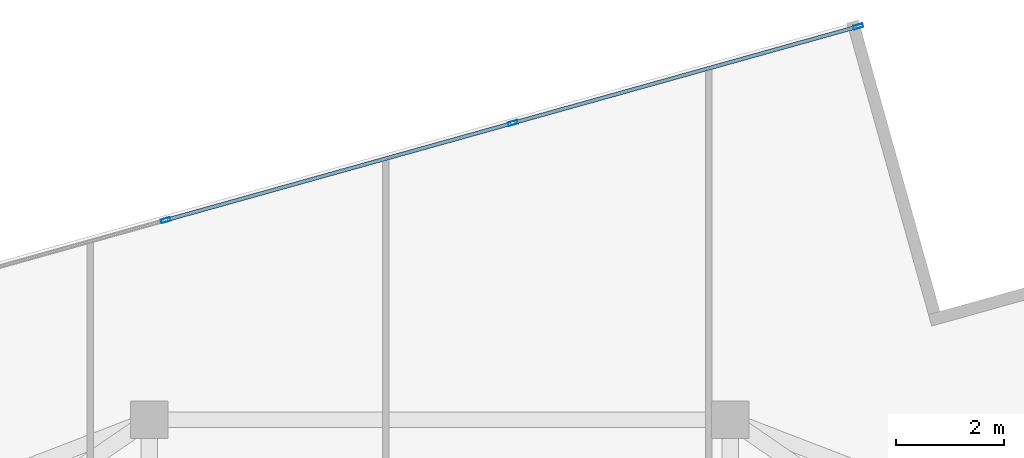
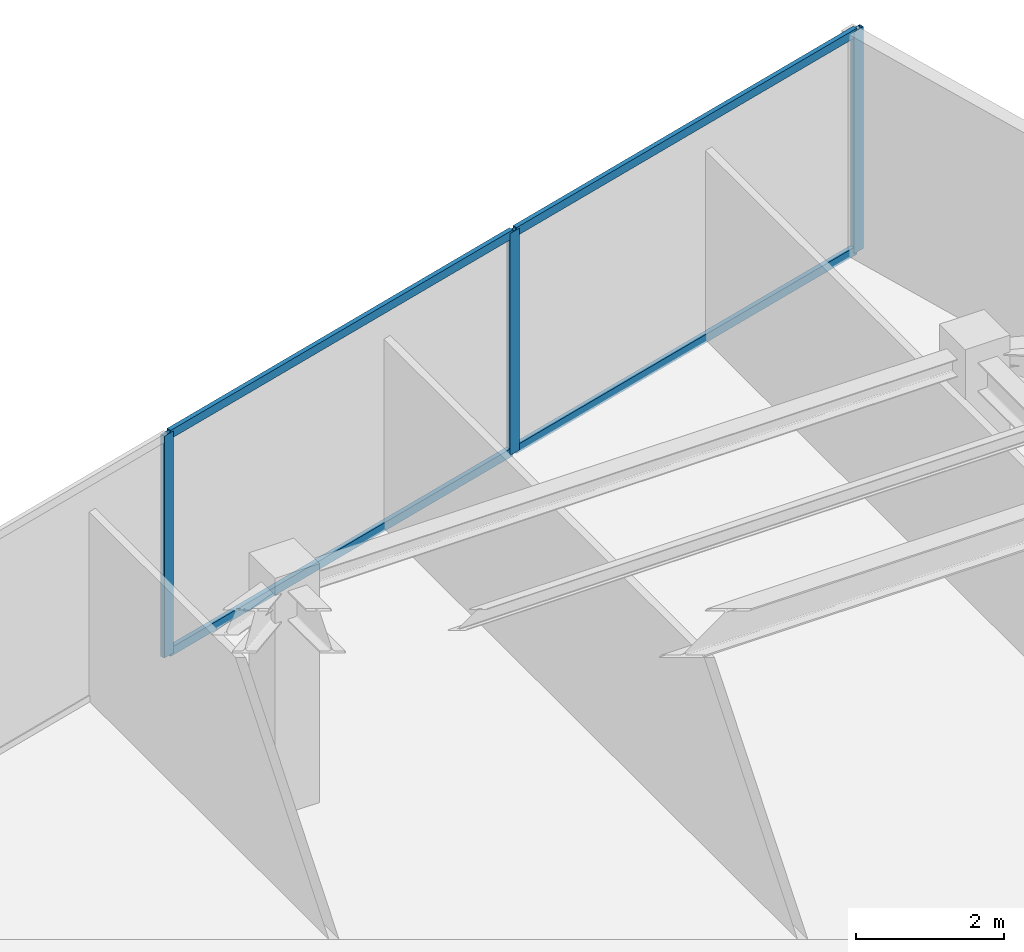
# One storey, part 14 of 20: 7 members, 1 element without a shape of its own.
"""IFC4 building model written with IfcOpenShell, lengths in metres."""

from ifc_helpers import new_model, si_unit, direction, frame, origin, origin_2d, place, context, subcontext, project, spatial, hollow_rectangle, extrude, source, transform, mapped, material, material_profile, profile_set, type_object, type_shapes, element, aggregate, save


model = new_model("IFC4")

# Units and contexts
model_context = context("Model", 3, precision=1e-05, world=origin(), true_north=direction((0.0, 1.0)))
body_context = subcontext(model_context, "Body", "Model", "MODEL_VIEW")
ifc_project = project(units=[si_unit("LENGTHUNIT", "METRE"), si_unit("AREAUNIT", "SQUARE_METRE"), si_unit("VOLUMEUNIT", "CUBIC_METRE"), si_unit("PLANEANGLEUNIT", "RADIAN"), si_unit("MASSUNIT", "GRAM", prefix="KILO")], contexts=[model_context])

# Site, building, storey
site_placement = place(None, origin())
site = spatial("IfcSite", under=ifc_project, at=site_placement, CompositionType="ELEMENT")
building_placement = place(site_placement, origin())
building = spatial("IfcBuilding", under=site, at=building_placement, Name="Krantzveldt Concourse Tower", CompositionType="ELEMENT")
storey_placement = place(building_placement, frame((0.0, 0.0, 351.39990234375)))
storey = spatial("IfcBuildingStorey", under=building, at=storey_placement, Name="L86", CompositionType="ELEMENT", Elevation=351.39990234375)

# Curtain wall, members
ifc_material = material(Name="Anodised aluminium 6063-T6", Category="aluminium")
curtain_wall_type = type_object("IfcCurtainWallType", Name="CW4", PredefinedType="USERDEFINED", material=ifc_material)
curtain_wall_placement = place(storey_placement, origin())
curtain_wall = element("IfcCurtainWall", 1, at=curtain_wall_placement, inside=storey, type_object=curtain_wall_type, Name="CW-L86-F01", ObjectType="UNITISED CURTAIN WALL", PredefinedType="USERDEFINED")
ifc_material_profile_1 = material_profile(ifc_material, hollow_rectangle(XDim=0.070068359375, YDim=0.179931640625, WallThickness=0.0048828125, at=origin_2d()), Name="Anodised aluminium 6063-T6", Category="aluminium")
ifc_profile_set_1 = profile_set([ifc_material_profile_1], Name="Anodised aluminium 6063-T6 - ALU-MULL 180x70x5")
member_type_1 = type_object("IfcMemberType", Name="CW-MUL-180", PredefinedType="MULLION", material=ifc_profile_set_1)
shared_shape_1 = source(origin(), body_context, "Body", "SweptSolid", [
    extrude(hollow_rectangle(XDim=0.070068359375, YDim=0.179931640625, WallThickness=0.0048828125, at=origin_2d()), origin(), (0.0, 0.0, 1.0), 3.670166015625),
])
type_shapes(member_type_1, [shared_shape_1])
member_1_placement = place(storey_placement, frame((43.77783203125, 48.510986328125, 0.0), z_axis=(0.0, 0.0, 1.0), x_axis=(0.269339931454, -0.963045170968, 0.0)))
member_1 = element("IfcMember", 2, at=member_1_placement, type_object=member_type_1, Name="CW-Z56 mullion 1", PredefinedType="MULLION", context=body_context, shape_type="MappedRepresentation", body=[
    mapped(shared_shape_1, transform((0.0, 0.0, 0.0), x_axis=(1.0, 0.0, 0.0), y_axis=(0.0, 1.0, 0.0), z_axis=(0.0, 0.0, 1.0), scale=1.0)),
])
member_2_placement = place(storey_placement, frame((37.359130859375, 46.7158203125, 0.0), z_axis=(0.0, 0.0, 1.0), x_axis=(0.269339931454, -0.963045170968, 0.0)))
member_2 = element("IfcMember", 3, at=member_2_placement, type_object=member_type_1, Name="CW-Z56 mullion 2", PredefinedType="MULLION", context=body_context, shape_type="MappedRepresentation", body=[
    mapped(shared_shape_1, transform((0.0, 0.0, 0.0), x_axis=(1.0, 0.0, 0.0), y_axis=(0.0, 1.0, 0.0), z_axis=(0.0, 0.0, 1.0), scale=1.0)),
])
member_3_placement = place(storey_placement, frame((30.90673828125, 44.9111328125, 0.0), z_axis=(0.0, 0.0, 1.0), x_axis=(0.269339931454, -0.963045170968, 0.0)))
member_3 = element("IfcMember", 4, at=member_3_placement, type_object=member_type_1, Name="CW-Z56 mullion 3", PredefinedType="MULLION", context=body_context, shape_type="MappedRepresentation", body=[
    mapped(shared_shape_1, transform((0.0, 0.0, 0.0), x_axis=(1.0, 0.0, 0.0), y_axis=(0.0, 1.0, 0.0), z_axis=(0.0, 0.0, 1.0), scale=1.0)),
])
ifc_material_profile_2 = material_profile(ifc_material, hollow_rectangle(XDim=0.070068359375, YDim=0.139892578125, WallThickness=0.0048828125, at=origin_2d()), Name="Anodised aluminium 6063-T6", Category="aluminium")
ifc_profile_set_2 = profile_set([ifc_material_profile_2], Name="Anodised aluminium 6063-T6 - ALU-TRAN 140x70x5")
member_type_2 = type_object("IfcMemberType", Name="CW-TRN-150", PredefinedType="USERDEFINED", material=ifc_profile_set_2)
shared_shape_2 = source(origin(), body_context, "Body", "SweptSolid", [
    extrude(hollow_rectangle(XDim=0.070068359375, YDim=0.139892578125, WallThickness=0.0048828125, at=origin_2d()), origin(), (0.0, 0.0, 1.0), 6.594970703125),
])
member_4_placement = place(storey_placement, frame((43.744140625, 48.50146484375, 0.03515625), z_axis=(-0.963042794459, -0.269348428694, 0.0), x_axis=(0.269348428694, -0.963042794459, 0.0)))
member_4 = element("IfcMember", 5, at=member_4_placement, type_object=member_type_2, Name="CW-Z56 transom 1.1", ObjectType="TRANSOM", PredefinedType="USERDEFINED", context=body_context, shape_type="MappedRepresentation", body=[
    mapped(shared_shape_2, transform((0.0, 0.0, 0.0), x_axis=(1.0, 0.0, 0.0), y_axis=(0.0, 1.0, 0.0), z_axis=(0.0, 0.0, 1.0), scale=1.0)),
])
member_5_placement = place(storey_placement, frame((43.744140625, 48.50146484375, 3.635009765625), z_axis=(-0.963042794459, -0.269348428694, 0.0), x_axis=(0.269348428694, -0.963042794459, 0.0)))
member_5 = element("IfcMember", 6, at=member_5_placement, type_object=member_type_2, Name="CW-Z56 transom 1.2", ObjectType="TRANSOM", PredefinedType="USERDEFINED", context=body_context, shape_type="MappedRepresentation", body=[
    mapped(shared_shape_2, transform((0.0, 0.0, 0.0), x_axis=(1.0, 0.0, 0.0), y_axis=(0.0, 1.0, 0.0), z_axis=(0.0, 0.0, 1.0), scale=1.0)),
])
shared_shape_3 = source(origin(), body_context, "Body", "SweptSolid", [
    extrude(hollow_rectangle(XDim=0.070068359375, YDim=0.139892578125, WallThickness=0.0048828125, at=origin_2d()), origin(), (0.0, 0.0, 1.0), 6.6298828125),
])
type_shapes(member_type_2, [shared_shape_2, shared_shape_3])
member_6_placement = place(storey_placement, frame((37.325439453125, 46.706298828125, 0.03515625), z_axis=(-0.963048491931, -0.269328056819, 0.0), x_axis=(0.269328056819, -0.963048491931, 0.0)))
member_6 = element("IfcMember", 7, at=member_6_placement, type_object=member_type_2, Name="CW-Z56 transom 2.1", ObjectType="TRANSOM", PredefinedType="USERDEFINED", context=body_context, shape_type="MappedRepresentation", body=[
    mapped(shared_shape_3, transform((0.0, 0.0, 0.0), x_axis=(1.0, 0.0, 0.0), y_axis=(0.0, 1.0, 0.0), z_axis=(0.0, 0.0, 1.0), scale=1.0)),
])
member_7_placement = place(storey_placement, frame((37.325439453125, 46.706298828125, 3.635009765625), z_axis=(-0.963048491931, -0.269328056819, 0.0), x_axis=(0.269328056819, -0.963048491931, 0.0)))
member_7 = element("IfcMember", 8, at=member_7_placement, type_object=member_type_2, Name="CW-Z56 transom 2.2", ObjectType="TRANSOM", PredefinedType="USERDEFINED", context=body_context, shape_type="MappedRepresentation", body=[
    mapped(shared_shape_3, transform((0.0, 0.0, 0.0), x_axis=(1.0, 0.0, 0.0), y_axis=(0.0, 1.0, 0.0), z_axis=(0.0, 0.0, 1.0), scale=1.0)),
])
aggregate(curtain_wall, [member_1, member_2, member_3, member_4, member_5, member_6, member_7])

save(model, "model.ifc")
